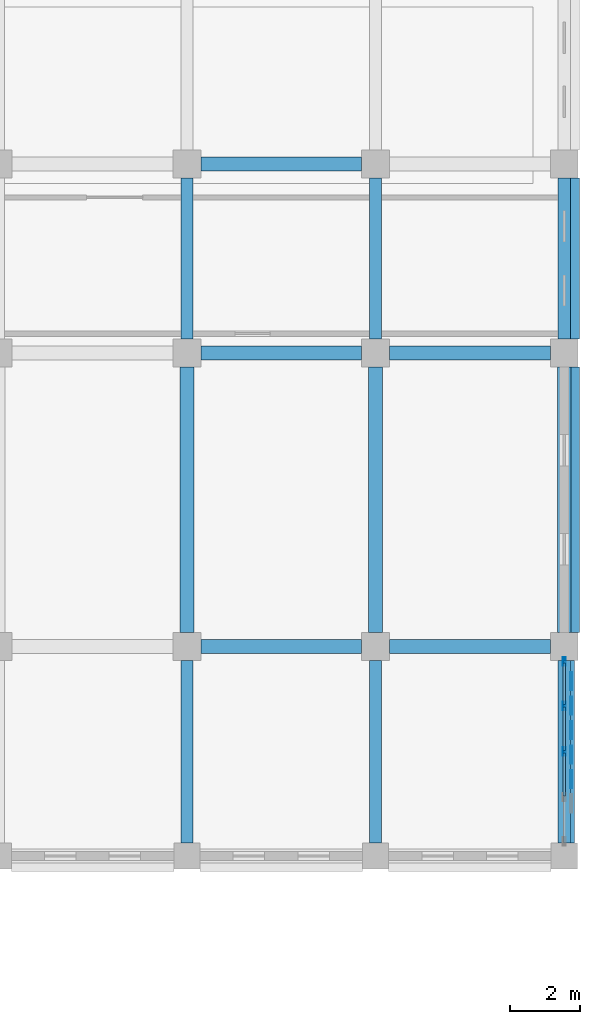
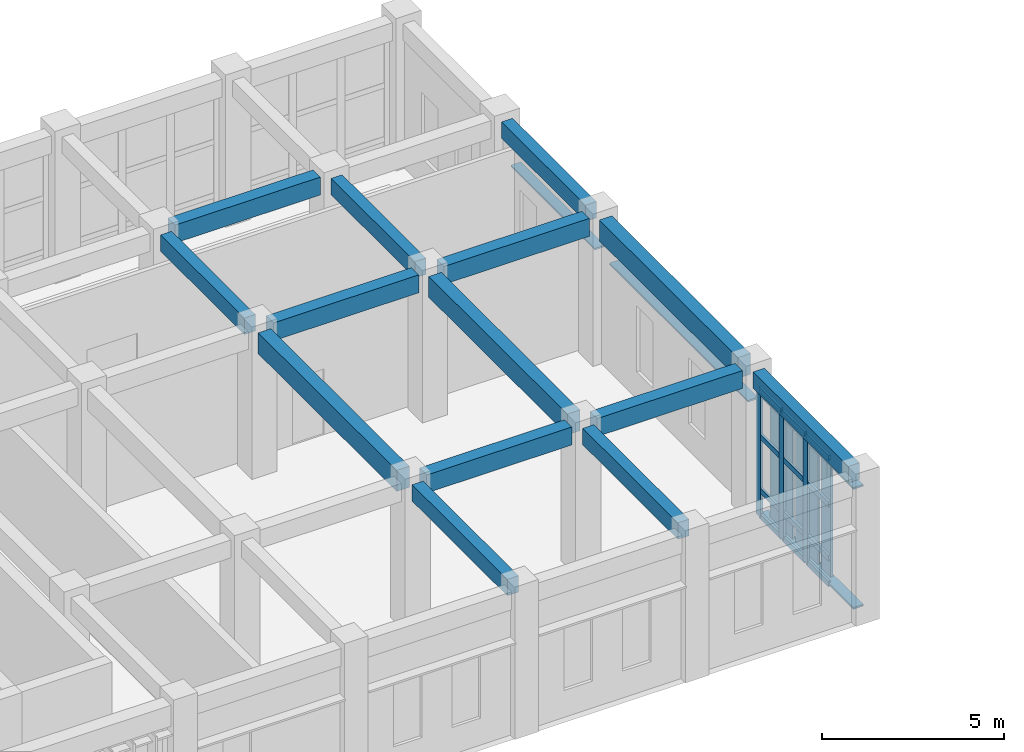
# One storey, part 42 of 77: 24 members, 14 beams, 1 element without a shape of its own.
"""IFC4 building model written with IfcOpenShell, lengths in metres."""

from ifc_helpers import new_model, si_unit, direction, frame, origin, origin_2d, place, context, subcontext, project, spatial, rectangle, hollow_rectangle, extrude, material, layer, layer_set, material_profile, profile_set, type_object, element, aggregate, save


model = new_model("IFC4")

# Units and contexts
model_context = context("Model", 3, precision=1e-05, world=origin(), true_north=direction((0.0, 1.0)))
body_context = subcontext(model_context, "Body", "Model", "MODEL_VIEW")
ifc_project = project(units=[si_unit("LENGTHUNIT", "METRE"), si_unit("AREAUNIT", "SQUARE_METRE"), si_unit("VOLUMEUNIT", "CUBIC_METRE"), si_unit("PLANEANGLEUNIT", "RADIAN"), si_unit("MASSUNIT", "GRAM", prefix="KILO")], contexts=[model_context])

# Site, building, storey
site_placement = place(None, origin())
site = spatial("IfcSite", under=ifc_project, at=site_placement, CompositionType="ELEMENT")
building_placement = place(site_placement, origin())
building = spatial("IfcBuilding", under=site, at=building_placement, Name="Krzemoval Escarpment Law Courts", CompositionType="ELEMENT")
storey_placement = place(building_placement, frame((0.0, 0.0, 15.300048828125)))
storey = spatial("IfcBuildingStorey", under=building, at=storey_placement, Name="L03", CompositionType="ELEMENT", Elevation=15.300048828125)

# Beams
ifc_material_1 = material(Name="Concrete C40/50", Category="concrete")
ifc_material_profile_1 = material_profile(ifc_material_1, rectangle(XDim=0.35009765625, YDim=0.550048828125, at=origin_2d()), Name="RCB 350x550")
ifc_profile_set_1 = profile_set([ifc_material_profile_1], Name="Concrete C40/50")
beam_type_1 = type_object("IfcBeamType", Name="BM-RC-350x550", PredefinedType="BEAM", material=ifc_profile_set_1)
beam_1_placement = place(storey_placement, frame((162.0, 93.97509765625, 4.56494140625), z_axis=(0.0, 1.0, 0.0), x_axis=(-1.0, 0.0, 0.0)))
element("IfcBeam", 1, at=beam_1_placement, inside=storey, type_object=beam_type_1, Name="Beam FG-L03-2349", PredefinedType="BEAM", context=body_context, shape_type="SweptSolid", body=[
    extrude(rectangle(XDim=0.35009765625, YDim=0.550048828125, at=origin_2d()), origin(), (0.0, 0.0, 1.0), 5.224853515625),
])
beam_2_placement = place(storey_placement, frame((162.0, 108.39990234375, 4.56494140625), z_axis=(0.0, 1.0, 0.0), x_axis=(-1.0, 0.0, 0.0)))
element("IfcBeam", 2, at=beam_2_placement, inside=storey, type_object=beam_type_1, Name="Beam FG-L03-2351", PredefinedType="BEAM", context=body_context, shape_type="SweptSolid", body=[
    extrude(rectangle(XDim=0.35009765625, YDim=0.550048828125, at=origin_2d()), origin(), (0.0, 0.0, 1.0), 4.60009765625),
])
beam_3_placement = place(storey_placement, frame((167.39990234375, 93.97509765625, 4.56494140625), z_axis=(0.0, 1.0, 0.0), x_axis=(-1.0, 0.0, 0.0)))
element("IfcBeam", 3, at=beam_3_placement, inside=storey, type_object=beam_type_1, Name="Beam FG-L03-2353", PredefinedType="BEAM", context=body_context, shape_type="SweptSolid", body=[
    extrude(rectangle(XDim=0.35009765625, YDim=0.550048828125, at=origin_2d()), origin(), (0.0, 0.0, 1.0), 5.224853515625),
])
beam_4_placement = place(storey_placement, frame((167.39990234375, 108.39990234375, 4.56494140625), z_axis=(0.0, 1.0, 0.0), x_axis=(-1.0, 0.0, 0.0)))
element("IfcBeam", 4, at=beam_4_placement, inside=storey, type_object=beam_type_1, Name="Beam FG-L03-2355", PredefinedType="BEAM", context=body_context, shape_type="SweptSolid", body=[
    extrude(rectangle(XDim=0.35009765625, YDim=0.550048828125, at=origin_2d()), origin(), (0.0, 0.0, 1.0), 4.60009765625),
])
beam_5_placement = place(storey_placement, frame((172.800048828125, 93.97509765625, 4.56494140625), z_axis=(0.0, 1.0, 0.0), x_axis=(-1.0, 0.0, 0.0)))
element("IfcBeam", 5, at=beam_5_placement, inside=storey, type_object=beam_type_1, Name="Beam FG-L03-2357", PredefinedType="BEAM", context=body_context, shape_type="SweptSolid", body=[
    extrude(rectangle(XDim=0.35009765625, YDim=0.550048828125, at=origin_2d()), origin(), (0.0, 0.0, 1.0), 5.224853515625),
])
beam_6_placement = place(storey_placement, frame((172.800048828125, 108.39990234375, 4.56494140625), z_axis=(0.0, 1.0, 0.0), x_axis=(-1.0, 0.0, 0.0)))
element("IfcBeam", 6, at=beam_6_placement, inside=storey, type_object=beam_type_1, Name="Beam FG-L03-2359", PredefinedType="BEAM", context=body_context, shape_type="SweptSolid", body=[
    extrude(rectangle(XDim=0.35009765625, YDim=0.550048828125, at=origin_2d()), origin(), (0.0, 0.0, 1.0), 4.60009765625),
])
ifc_material_2 = material(Name="Concrete C40/50", Category="concrete")
ifc_material_profile_2 = material_profile(ifc_material_2, rectangle(XDim=0.39990234375, YDim=0.60009765625, at=origin_2d()), Name="RCB 400x600")
ifc_profile_set_2 = profile_set([ifc_material_profile_2], Name="Concrete C40/50")
beam_type_2 = type_object("IfcBeamType", Name="BM-RC-400x600", PredefinedType="BEAM", material=ifc_profile_set_2)
beam_7_placement = place(storey_placement, frame((162.39990234375, 99.60009765625, 4.5400390625), z_axis=(1.0, 0.0, 0.0), x_axis=(0.0, 1.0, 0.0)))
element("IfcBeam", 7, at=beam_7_placement, inside=storey, type_object=beam_type_2, Name="Beam FG-L03-2195", PredefinedType="BEAM", context=body_context, shape_type="SweptSolid", body=[
    extrude(rectangle(XDim=0.39990234375, YDim=0.60009765625, at=origin_2d()), origin(), (0.0, 0.0, 1.0), 4.60009765625),
])
beam_8_placement = place(storey_placement, frame((167.800048828125, 99.60009765625, 4.5400390625), z_axis=(1.0, 0.0, 0.0), x_axis=(0.0, 1.0, 0.0)))
element("IfcBeam", 8, at=beam_8_placement, inside=storey, type_object=beam_type_2, Name="Beam FG-L03-2196", PredefinedType="BEAM", context=body_context, shape_type="SweptSolid", body=[
    extrude(rectangle(XDim=0.39990234375, YDim=0.60009765625, at=origin_2d()), origin(), (0.0, 0.0, 1.0), 4.599853515625),
])
beam_9_placement = place(storey_placement, frame((162.39990234375, 108.0, 4.5400390625), z_axis=(1.0, 0.0, 0.0), x_axis=(0.0, 1.0, 0.0)))
element("IfcBeam", 9, at=beam_9_placement, inside=storey, type_object=beam_type_2, Name="Beam FG-L03-2199", PredefinedType="BEAM", context=body_context, shape_type="SweptSolid", body=[
    extrude(rectangle(XDim=0.39990234375, YDim=0.60009765625, at=origin_2d()), origin(), (0.0, 0.0, 1.0), 4.60009765625),
])
beam_10_placement = place(storey_placement, frame((167.800048828125, 108.0, 4.5400390625), z_axis=(1.0, 0.0, 0.0), x_axis=(0.0, 1.0, 0.0)))
element("IfcBeam", 10, at=beam_10_placement, inside=storey, type_object=beam_type_2, Name="Beam FG-L03-2200", PredefinedType="BEAM", context=body_context, shape_type="SweptSolid", body=[
    extrude(rectangle(XDim=0.39990234375, YDim=0.60009765625, at=origin_2d()), origin(), (0.0, 0.0, 1.0), 4.599853515625),
])
beam_11_placement = place(storey_placement, frame((162.39990234375, 113.39990234375, 4.5400390625), z_axis=(1.0, 0.0, 0.0), x_axis=(0.0, 1.0, 0.0)))
element("IfcBeam", 11, at=beam_11_placement, inside=storey, type_object=beam_type_2, Name="Beam FG-L03-2206", PredefinedType="BEAM", context=body_context, shape_type="SweptSolid", body=[
    extrude(rectangle(XDim=0.39990234375, YDim=0.60009765625, at=origin_2d()), origin(), (0.0, 0.0, 1.0), 4.60009765625),
])
ifc_material_3 = material(Name="Concrete C40/50", Category="concrete")
ifc_material_profile_3 = material_profile(ifc_material_3, rectangle(XDim=0.39990234375, YDim=0.699951171875, at=origin_2d()), Name="RCB 400x700")
ifc_profile_set_3 = profile_set([ifc_material_profile_3], Name="Concrete C40/50")
beam_type_3 = type_object("IfcBeamType", Name="BM-RC-400x700", PredefinedType="BEAM", material=ifc_profile_set_3)
for number, where, z_axis, x_axis, name in (
    (12, (162.0, 100.0, 4.489990234375), (0.0, 1.0, 0.0), (-1.0, 0.0, 0.0), "Beam FG-L03-2350"),
    (13, (167.39990234375, 100.0, 4.489990234375), (0.0, 1.0, 0.0), (-1.0, 0.0, 0.0), "Beam FG-L03-2354"),
    (14, (172.800048828125, 100.0, 4.489990234375), (0.0, 1.0, 0.0), (-1.0, 0.0, 0.0), "Beam FG-L03-2358"),
):
    element("IfcBeam", number, at=place(storey_placement, frame(where, z_axis=z_axis, x_axis=x_axis)), inside=storey, type_object=beam_type_3, Name=name, PredefinedType="BEAM", context=body_context, shape_type="SweptSolid", body=[
        extrude(rectangle(XDim=0.39990234375, YDim=0.699951171875, at=origin_2d()), origin(), (0.0, 0.0, 1.0), 7.60009765625),
    ])

# Curtain wall, members
ifc_material_4 = material(Name="Aluminium 6063-T6", Category="aluminium")
ifc_layer = layer(ifc_material_4, 0.239990234375)
ifc_layer_set = layer_set([ifc_layer], Name="Aluminium 6063-T6")
curtain_wall_type = type_object("IfcCurtainWallType", Name="CW-CHMB-4800", PredefinedType="USERDEFINED", material=ifc_layer_set)
curtain_wall_placement = place(storey_placement, origin())
curtain_wall = element("IfcCurtainWall", 15, at=curtain_wall_placement, inside=storey, type_object=curtain_wall_type, Name="Unitised Curtain Wall FCW-L03-120", ObjectType="UNITISED_CURTAIN_WALL", PredefinedType="USERDEFINED")
ifc_material_5 = material(Name="Aluminium 6063-T6", Category="aluminium")
ifc_material_profile_4 = material_profile(ifc_material_5, hollow_rectangle(XDim=0.074951171875, YDim=0.239990234375, WallThickness=0.0048828125, at=origin_2d()), Name="ALU M75x240")
ifc_profile_set_4 = profile_set([ifc_material_profile_4], Name="Aluminium 6063-T6")
member_type_1 = type_object("IfcMemberType", Name="CWM-75x240", PredefinedType="MULLION", material=ifc_profile_set_4)
member_1_placement = place(storey_placement, frame((172.800048828125, 99.16259765625, 0.0), z_axis=(0.0, 0.0, 1.0), x_axis=(1.0, 0.0, 0.0)))
member_1 = element("IfcMember", 16, at=member_1_placement, type_object=member_type_1, Name="FCW-L03-120 mullion 1", PredefinedType="MULLION", context=body_context, shape_type="SweptSolid", body=[
    extrude(hollow_rectangle(XDim=0.074951171875, YDim=0.239990234375, WallThickness=0.0048828125, at=origin_2d()), origin(), (0.0, 0.0, 1.0), 4.2900390625),
])
member_2_placement = place(storey_placement, frame((172.800048828125, 97.893798828125, 0.0), z_axis=(0.0, 0.0, 1.0), x_axis=(1.0, 0.0, 0.0)))
member_2 = element("IfcMember", 17, at=member_2_placement, type_object=member_type_1, Name="FCW-L03-120 mullion 2", PredefinedType="MULLION", context=body_context, shape_type="SweptSolid", body=[
    extrude(hollow_rectangle(XDim=0.074951171875, YDim=0.239990234375, WallThickness=0.0048828125, at=origin_2d()), origin(), (0.0, 0.0, 1.0), 4.2900390625),
])
member_3_placement = place(storey_placement, frame((172.800048828125, 96.58740234375, 0.0), z_axis=(0.0, 0.0, 1.0), x_axis=(1.0, 0.0, 0.0)))
member_3 = element("IfcMember", 18, at=member_3_placement, type_object=member_type_1, Name="FCW-L03-120 mullion 3", PredefinedType="MULLION", context=body_context, shape_type="SweptSolid", body=[
    extrude(hollow_rectangle(XDim=0.074951171875, YDim=0.239990234375, WallThickness=0.0048828125, at=origin_2d()), origin(), (0.0, 0.0, 1.0), 4.2900390625),
])
ifc_material_6 = material(Name="Aluminium 6063-T6", Category="aluminium")
ifc_material_profile_5 = material_profile(ifc_material_6, hollow_rectangle(XDim=0.074951171875, YDim=0.179931640625, WallThickness=0.0048828125, at=origin_2d()), Name="ALU T75x180")
ifc_profile_set_5 = profile_set([ifc_material_profile_5], Name="Aluminium 6063-T6")
member_type_2 = type_object("IfcMemberType", Name="CWT-75x180", PredefinedType="USERDEFINED", material=ifc_profile_set_5)
member_4_placement = place(storey_placement, frame((172.800048828125, 99.125, 0.037353515625), z_axis=(0.0, -1.0, 0.0), x_axis=(1.0, 0.0, 0.0)))
member_4 = element("IfcMember", 19, at=member_4_placement, type_object=member_type_2, Name="FCW-L03-120 transom 1.1", ObjectType="TRANSOM", PredefinedType="USERDEFINED", context=body_context, shape_type="SweptSolid", body=[
    extrude(hollow_rectangle(XDim=0.074951171875, YDim=0.179931640625, WallThickness=0.0048828125, at=origin_2d()), origin(), (0.0, 0.0, 1.0), 1.19384765625),
])
member_5_placement = place(storey_placement, frame((172.800048828125, 99.125, 0.89990234375), z_axis=(0.0, -1.0, 0.0), x_axis=(1.0, 0.0, 0.0)))
member_5 = element("IfcMember", 20, at=member_5_placement, type_object=member_type_2, Name="FCW-L03-120 transom 1.2", ObjectType="TRANSOM", PredefinedType="USERDEFINED", context=body_context, shape_type="SweptSolid", body=[
    extrude(hollow_rectangle(XDim=0.074951171875, YDim=0.179931640625, WallThickness=0.0048828125, at=origin_2d()), origin(), (0.0, 0.0, 1.0), 1.19384765625),
])
member_6_placement = place(storey_placement, frame((172.800048828125, 99.125, 2.699951171875), z_axis=(0.0, -1.0, 0.0), x_axis=(1.0, 0.0, 0.0)))
member_6 = element("IfcMember", 21, at=member_6_placement, type_object=member_type_2, Name="FCW-L03-120 transom 1.3", ObjectType="TRANSOM", PredefinedType="USERDEFINED", context=body_context, shape_type="SweptSolid", body=[
    extrude(hollow_rectangle(XDim=0.074951171875, YDim=0.179931640625, WallThickness=0.0048828125, at=origin_2d()), origin(), (0.0, 0.0, 1.0), 1.19384765625),
])
member_7_placement = place(storey_placement, frame((172.800048828125, 99.125, 4.25244140625), z_axis=(0.0, -1.0, 0.0), x_axis=(1.0, 0.0, 0.0)))
member_7 = element("IfcMember", 22, at=member_7_placement, type_object=member_type_2, Name="FCW-L03-120 transom 1.4", ObjectType="TRANSOM", PredefinedType="USERDEFINED", context=body_context, shape_type="SweptSolid", body=[
    extrude(hollow_rectangle(XDim=0.074951171875, YDim=0.179931640625, WallThickness=0.0048828125, at=origin_2d()), origin(), (0.0, 0.0, 1.0), 1.19384765625),
])
member_8_placement = place(storey_placement, frame((172.800048828125, 97.856201171875, 0.037353515625), z_axis=(0.0, -1.0, 0.0), x_axis=(1.0, 0.0, 0.0)))
member_8 = element("IfcMember", 23, at=member_8_placement, type_object=member_type_2, Name="FCW-L03-120 transom 2.1", ObjectType="TRANSOM", PredefinedType="USERDEFINED", context=body_context, shape_type="SweptSolid", body=[
    extrude(hollow_rectangle(XDim=0.074951171875, YDim=0.179931640625, WallThickness=0.0048828125, at=origin_2d()), origin(), (0.0, 0.0, 1.0), 1.231201171875),
])
member_9_placement = place(storey_placement, frame((172.800048828125, 97.856201171875, 0.89990234375), z_axis=(0.0, -1.0, 0.0), x_axis=(1.0, 0.0, 0.0)))
member_9 = element("IfcMember", 24, at=member_9_placement, type_object=member_type_2, Name="FCW-L03-120 transom 2.2", ObjectType="TRANSOM", PredefinedType="USERDEFINED", context=body_context, shape_type="SweptSolid", body=[
    extrude(hollow_rectangle(XDim=0.074951171875, YDim=0.179931640625, WallThickness=0.0048828125, at=origin_2d()), origin(), (0.0, 0.0, 1.0), 1.231201171875),
])
member_10_placement = place(storey_placement, frame((172.800048828125, 97.856201171875, 2.699951171875), z_axis=(0.0, -1.0, 0.0), x_axis=(1.0, 0.0, 0.0)))
member_10 = element("IfcMember", 25, at=member_10_placement, type_object=member_type_2, Name="FCW-L03-120 transom 2.3", ObjectType="TRANSOM", PredefinedType="USERDEFINED", context=body_context, shape_type="SweptSolid", body=[
    extrude(hollow_rectangle(XDim=0.074951171875, YDim=0.179931640625, WallThickness=0.0048828125, at=origin_2d()), origin(), (0.0, 0.0, 1.0), 1.231201171875),
])
member_11_placement = place(storey_placement, frame((172.800048828125, 97.856201171875, 4.25244140625), z_axis=(0.0, -1.0, 0.0), x_axis=(1.0, 0.0, 0.0)))
member_11 = element("IfcMember", 26, at=member_11_placement, type_object=member_type_2, Name="FCW-L03-120 transom 2.4", ObjectType="TRANSOM", PredefinedType="USERDEFINED", context=body_context, shape_type="SweptSolid", body=[
    extrude(hollow_rectangle(XDim=0.074951171875, YDim=0.179931640625, WallThickness=0.0048828125, at=origin_2d()), origin(), (0.0, 0.0, 1.0), 1.231201171875),
])
member_12_placement = place(storey_placement, frame((172.800048828125, 96.550048828125, 0.037353515625), z_axis=(0.0, -1.0, 0.0), x_axis=(1.0, 0.0, 0.0)))
member_12 = element("IfcMember", 27, at=member_12_placement, type_object=member_type_2, Name="FCW-L03-120 transom 3.1", ObjectType="TRANSOM", PredefinedType="USERDEFINED", context=body_context, shape_type="SweptSolid", body=[
    extrude(hollow_rectangle(XDim=0.074951171875, YDim=0.179931640625, WallThickness=0.0048828125, at=origin_2d()), origin(), (0.0, 0.0, 1.0), 1.231201171875),
])
member_13_placement = place(storey_placement, frame((172.800048828125, 96.550048828125, 0.89990234375), z_axis=(0.0, -1.0, 0.0), x_axis=(1.0, 0.0, 0.0)))
member_13 = element("IfcMember", 28, at=member_13_placement, type_object=member_type_2, Name="FCW-L03-120 transom 3.2", ObjectType="TRANSOM", PredefinedType="USERDEFINED", context=body_context, shape_type="SweptSolid", body=[
    extrude(hollow_rectangle(XDim=0.074951171875, YDim=0.179931640625, WallThickness=0.0048828125, at=origin_2d()), origin(), (0.0, 0.0, 1.0), 1.231201171875),
])
member_14_placement = place(storey_placement, frame((172.800048828125, 96.550048828125, 2.699951171875), z_axis=(0.0, -1.0, 0.0), x_axis=(1.0, 0.0, 0.0)))
member_14 = element("IfcMember", 29, at=member_14_placement, type_object=member_type_2, Name="FCW-L03-120 transom 3.3", ObjectType="TRANSOM", PredefinedType="USERDEFINED", context=body_context, shape_type="SweptSolid", body=[
    extrude(hollow_rectangle(XDim=0.074951171875, YDim=0.179931640625, WallThickness=0.0048828125, at=origin_2d()), origin(), (0.0, 0.0, 1.0), 1.231201171875),
])
member_15_placement = place(storey_placement, frame((172.800048828125, 96.550048828125, 4.25244140625), z_axis=(0.0, -1.0, 0.0), x_axis=(1.0, 0.0, 0.0)))
member_15 = element("IfcMember", 30, at=member_15_placement, type_object=member_type_2, Name="FCW-L03-120 transom 3.4", ObjectType="TRANSOM", PredefinedType="USERDEFINED", context=body_context, shape_type="SweptSolid", body=[
    extrude(hollow_rectangle(XDim=0.074951171875, YDim=0.179931640625, WallThickness=0.0048828125, at=origin_2d()), origin(), (0.0, 0.0, 1.0), 1.231201171875),
])
aggregate(curtain_wall, [member_1, member_2, member_3, member_4, member_5, member_6, member_7, member_8, member_9, member_10, member_11, member_12, member_13, member_14, member_15])

# Members
ifc_material_7 = material(Name="Anodised Aluminium Alloy 6063-T6", Category="aluminium")
ifc_material_profile_6 = material_profile(ifc_material_7, hollow_rectangle(XDim=0.06005859375, YDim=0.320068359375, WallThickness=0.00390625, at=origin_2d()), Name="ALU LVR 60x320")
ifc_profile_set_6 = profile_set([ifc_material_profile_6], Name="Anodised Aluminium Alloy 6063-T6")
member_type_3 = type_object("IfcMemberType", Name="LVR-ALU-320", PredefinedType="USERDEFINED", material=ifc_profile_set_6)
member_16_placement = place(storey_placement, frame((173.080078125, 113.0, 3.260009765625), z_axis=(0.0, -1.0, 0.0), x_axis=(0.0, 0.0, 1.0)))
element("IfcMember", 31, at=member_16_placement, inside=storey, type_object=member_type_3, Name="Window Sunshade Louvre FLV-L03-0789", ObjectType="SUNSHADE_LOUVRE", PredefinedType="USERDEFINED", context=body_context, shape_type="SweptSolid", body=[
    extrude(hollow_rectangle(XDim=0.06005859375, YDim=0.320068359375, WallThickness=0.00390625, at=origin_2d()), origin(), (0.0, 0.0, 1.0), 4.60009765625),
])
member_17_placement = place(storey_placement, frame((173.080078125, 107.60009765625, 3.260009765625), z_axis=(0.0, -1.0, 0.0), x_axis=(0.0, 0.0, 1.0)))
element("IfcMember", 32, at=member_17_placement, inside=storey, type_object=member_type_3, Name="Window Sunshade Louvre FLV-L03-0790", ObjectType="SUNSHADE_LOUVRE", PredefinedType="USERDEFINED", context=body_context, shape_type="SweptSolid", body=[
    extrude(hollow_rectangle(XDim=0.06005859375, YDim=0.320068359375, WallThickness=0.00390625, at=origin_2d()), origin(), (0.0, 0.0, 1.0), 7.60009765625),
])
for number, where, z_axis, x_axis, name in (
    (33, (172.93994140625, 99.199951171875, 0.030029296875), (0.0, -1.0, 0.0), (0.0, 0.0, 1.0), "Sunshade Support Rail FSR-L03-0791"),
    (34, (172.93994140625, 99.199951171875, 4.0400390625), (0.0, -1.0, 0.0), (0.0, 0.0, 1.0), "Sunshade Support Rail FSR-L03-0792"),
):
    element("IfcMember", number, at=place(storey_placement, frame(where, z_axis=z_axis, x_axis=x_axis)), inside=storey, type_object=member_type_3, Name=name, ObjectType="SUNSHADE_LOUVRE", PredefinedType="USERDEFINED", context=body_context, shape_type="SweptSolid", body=[
        extrude(hollow_rectangle(XDim=0.06005859375, YDim=0.320068359375, WallThickness=0.00390625, at=origin_2d()), origin(), (0.0, 0.0, 1.0), 5.224853515625),
    ])
ifc_material_8 = material(Name="Anodised Aluminium Alloy 6063-T6", Category="aluminium")
ifc_material_profile_7 = material_profile(ifc_material_8, hollow_rectangle(XDim=0.06494140625, YDim=0.52001953125, WallThickness=0.00439453125, at=origin_2d()), Name="ALU LVR 65x520")
ifc_profile_set_7 = profile_set([ifc_material_profile_7], Name="Anodised Aluminium Alloy 6063-T6")
member_type_4 = type_object("IfcMemberType", Name="LVR-ALU-520", PredefinedType="USERDEFINED", material=ifc_profile_set_7)
for number, where, z_axis, x_axis, name in (
    (35, (173.0, 98.60009765625, 0.06005859375), (0.0, 0.0, 1.0), (1.0, 0.0, 0.0), "Sunshade Louvre Fin FLV-L03-0793"),
    (36, (173.0, 97.89990234375, 0.06005859375), (0.0, 0.0, 1.0), (1.0, 0.0, 0.0), "Sunshade Louvre Fin FLV-L03-0794"),
    (37, (173.0, 97.199951171875, 0.06005859375), (0.0, 0.0, 1.0), (1.0, 0.0, 0.0), "Sunshade Louvre Fin FLV-L03-0795"),
    (38, (173.0, 96.5, 0.06005859375), (0.0, 0.0, 1.0), (1.0, 0.0, 0.0), "Sunshade Louvre Fin FLV-L03-0796"),
    (39, (173.0, 95.800048828125, 0.06005859375), (0.0, 0.0, 1.0), (1.0, 0.0, 0.0), "Sunshade Louvre Fin FLV-L03-0797"),
):
    element("IfcMember", number, at=place(storey_placement, frame(where, z_axis=z_axis, x_axis=x_axis)), inside=storey, type_object=member_type_4, Name=name, ObjectType="SUNSHADE_LOUVRE", PredefinedType="USERDEFINED", context=body_context, shape_type="SweptSolid", body=[
        extrude(hollow_rectangle(XDim=0.06494140625, YDim=0.52001953125, WallThickness=0.00439453125, at=origin_2d()), origin(), (0.0, 0.0, 1.0), 4.22998046875),
    ])

save(model, "model.ifc")
